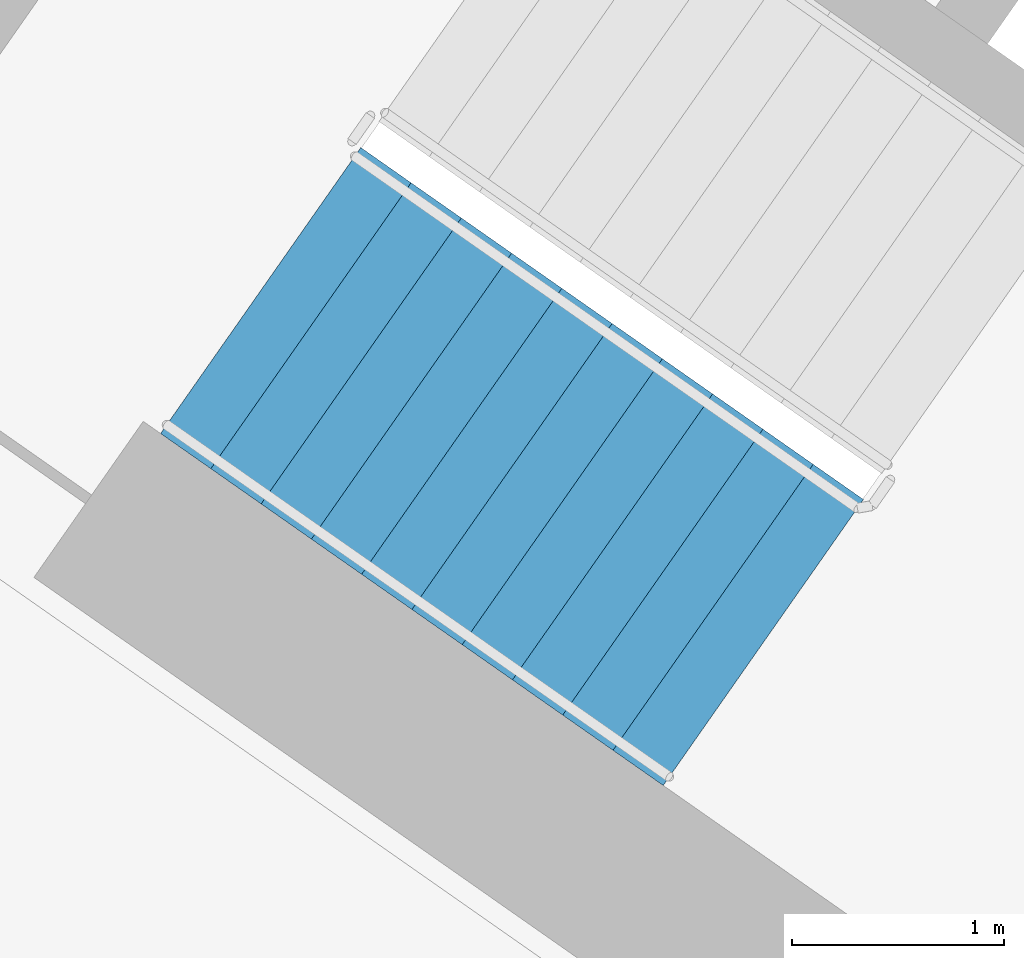
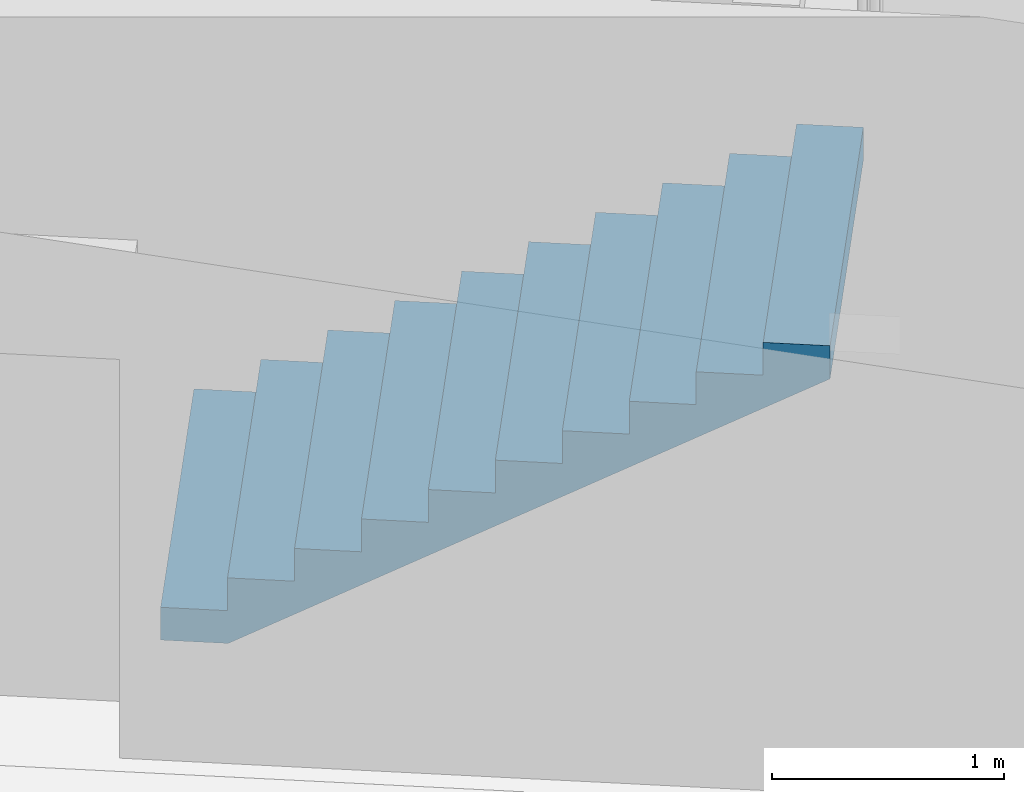
# One storey, part 10 of 29: 1 stair flight, 1 element without a shape of its own.
"""IFC4 building model written with IfcOpenShell, lengths in metres."""

import ifcopenshell
import ifcopenshell.guid

model = None  # the IFC model being written
_history = None  # IfcOwnerHistory: only IFC2X3 demands one
_inside = {}  # id of a spatial element -> (the spatial element, [elements in it])
_under = {}  # id of a project, library or spatial element -> (it, [spatial elements below it])
_declared = {}  # id of a project -> (the project, [libraries it declares])
_typed = {}  # id of a type object -> (the type object, [elements of that type])
_made_of = {}  # id of a material, layer set ... -> (it, [elements and type objects made of it])


def new_model(schema):
    """Start an empty IFC model of exactly this schema.

    Asked for "IFC4X3", IfcOpenShell would pick the latest addendum, in which some entities
    have other attributes; the version numbers below select the first issue.
    IFC2X3 requires an IfcOwnerHistory on every rooted entity: one is made here for all.
    """
    global model, _history
    if schema == "IFC4X3":
        model = ifcopenshell.file(schema_version=(4, 3, 0, 0))
    else:
        model = ifcopenshell.file(schema=schema)
    _inside.clear()
    _under.clear()
    _declared.clear()
    _typed.clear()
    _made_of.clear()
    _history = None
    if model.schema == "IFC2X3":
        org = make("IfcOrganization", Name="unknown")
        user = make(
            "IfcPersonAndOrganization",
            ThePerson=make("IfcPerson", FamilyName="unknown"),
            TheOrganization=org,
        )
        app = make(
            "IfcApplication",
            ApplicationDeveloper=org,
            Version="unknown",
            ApplicationFullName="unknown",
            ApplicationIdentifier="unknown",
        )
        _history = make(
            "IfcOwnerHistory",
            OwningUser=user,
            OwningApplication=app,
            ChangeAction="ADDED",
            CreationDate=0,
        )
    return model


def make(cls, **values):
    """One entity of the class cls with the attributes given. An attribute that is None is left unset."""
    return model.create_entity(
        cls, **{name: value for name, value in values.items() if value is not None}
    )


def rooted(cls, **values):
    """An entity with a GlobalId (a new one), such as an element, a storey or a relation."""
    return make(cls, GlobalId=ifcopenshell.guid.new(), OwnerHistory=_history, **values)


def si_unit(unit_type, name, prefix=None):
    """IfcSIUnit, for example si_unit("LENGTHUNIT", "METRE", prefix="MILLI")."""
    return make("IfcSIUnit", UnitType=unit_type, Prefix=prefix, Name=name)


def assignment(units):
    """IfcUnitAssignment: the units of a project."""
    return None if units is None else make("IfcUnitAssignment", Units=units)


def point(xyz):
    """IfcCartesianPoint."""
    return None if xyz is None else make("IfcCartesianPoint", Coordinates=xyz)


def direction(xyz):
    """IfcDirection."""
    return None if xyz is None else make("IfcDirection", DirectionRatios=xyz)


def frame(location, z_axis=None, x_axis=None):
    """IfcAxis2Placement3D, a coordinate frame: its origin and axes. An axis left out is left unset."""
    return make(
        "IfcAxis2Placement3D",
        Location=point(location),
        Axis=direction(z_axis),
        RefDirection=direction(x_axis),
    )


def origin():
    """The frame at (0, 0, 0) with its axes left unset."""
    return frame((0.0, 0.0, 0.0))


def place(relative_to, where):
    """IfcLocalPlacement: puts the frame where relative to a parent placement (None: the world)."""
    return make(
        "IfcLocalPlacement", PlacementRelTo=relative_to, RelativePlacement=where
    )


def context(
    kind, dimensions, precision=None, world=None, true_north=None, identifier=None
):
    """IfcGeometricRepresentationContext, for example the 3D "Model" context."""
    return make(
        "IfcGeometricRepresentationContext",
        ContextIdentifier=identifier,
        ContextType=kind,
        CoordinateSpaceDimension=dimensions,
        Precision=precision,
        WorldCoordinateSystem=world,
        TrueNorth=true_north,
    )


def subcontext(parent, identifier, kind, view, scale=None):
    """IfcGeometricRepresentationSubContext, for example "Body" below "Model"."""
    return make(
        "IfcGeometricRepresentationSubContext",
        ContextIdentifier=identifier,
        ContextType=kind,
        ParentContext=parent,
        TargetScale=scale,
        TargetView=view,
    )


def project(units=None, contexts=None):
    """IfcProject with its units and contexts."""
    return rooted(
        "IfcProject",
        Name="project",
        RepresentationContexts=contexts,
        UnitsInContext=assignment(units),
    )


def spatial(cls, under=None, at=None, **own):
    """A site, building, storey or space (cls), placed at a placement, below another one or the project."""
    s = rooted(cls, ObjectPlacement=at, **own)
    if under is not None:
        _under.setdefault(under.id(), (under, []))[1].append(s)
    return s


def faces_of(points, faces, orient=None, outer=None):
    """IfcFace entities. A face is a list of loops; a loop is a list of indices into points, from 0.

    orient and outer hold one flag for each loop. By default every Orientation is true, the
    first loop of a face is its IfcFaceOuterBound and the others are IfcFaceBound.
    """
    made = []
    for i, loops in enumerate(faces):
        bounds = []
        for j, loop in enumerate(loops):
            is_outer = j == 0 if outer is None else outer[i][j]
            bounds.append(
                make(
                    "IfcFaceOuterBound" if is_outer else "IfcFaceBound",
                    Bound=make("IfcPolyLoop", Polygon=[points[k] for k in loop]),
                    Orientation=True if orient is None else orient[i][j],
                )
            )
        made.append(make("IfcFace", Bounds=bounds))
    return made


def faceted_brep(points, faces, orient=None, outer=None, voids=None):
    """IfcFacetedBrep: a solid bounded by flat faces; with voids (closed shells), ...WithVoids."""
    shared = [point(p) for p in points]
    hull = make("IfcClosedShell", CfsFaces=faces_of(shared, faces, orient, outer))
    if voids is None:
        return make("IfcFacetedBrep", Outer=hull)
    return make(
        "IfcFacetedBrepWithVoids",
        Outer=hull,
        Voids=[
            make(cls, CfsFaces=faces_of(shared, fs, o, b)) for cls, fs, o, b in voids
        ],
    )


def shape(context_of_items, identifier, shape_type, items):
    """IfcShapeRepresentation: the items that make up one representation, for example the "Body"."""
    return make(
        "IfcShapeRepresentation",
        ContextOfItems=context_of_items,
        RepresentationIdentifier=identifier,
        RepresentationType=shape_type,
        Items=items,
    )


def material(Name=None, Category=None):
    """IfcMaterial."""
    return make("IfcMaterial", Name=Name, Category=Category)


def made_of(thing, what):
    """Note that an element or type object is made of a material, layer set ...; save() writes the relation."""
    if what is not None:
        _made_of.setdefault(what.id(), (what, []))[1].append(thing)
    return thing


def type_object(cls, material=None, **own):
    """A type object (cls), such as IfcWallType, which elements share."""
    return made_of(rooted(cls, **own), material)


def element(
    cls,
    number,
    at=None,
    inside=None,
    cuts=None,
    type_object=None,
    material=None,
    context=None,
    identifier="Body",
    shape_type=None,
    held_by="IfcProductDefinitionShape",
    body=None,
    shapes=None,
    **own,
):
    """One element of the class cls, such as IfcWall. Its Tag is "e" and its number.

    at: its placement. inside: the storey or other place that contains it. cuts: it is an
    opening in that element (IfcRelVoidsElement). A single representation is given by context,
    identifier, shape_type and body (its items); several are given by shapes. held_by: the class
    of the entity that holds the representations. save() writes the other relations.
    """
    e = rooted(cls, Tag="e%d" % number, ObjectPlacement=at, **own)
    if body is not None:
        shapes = [shape(context, identifier, shape_type, body)]
    if shapes is not None:
        e.Representation = make(held_by, Representations=shapes)
    if inside is not None:
        _inside.setdefault(inside.id(), (inside, []))[1].append(e)
    if cuts is not None:
        rooted(
            "IfcRelVoidsElement", RelatingBuildingElement=cuts, RelatedOpeningElement=e
        )
    if type_object is not None:
        _typed.setdefault(type_object.id(), (type_object, []))[1].append(e)
    return made_of(e, material)


def aggregate(whole, parts):
    """IfcRelAggregates: a whole, such as a stair, and the parts it consists of."""
    return rooted("IfcRelAggregates", RelatingObject=whole, RelatedObjects=parts)


def save(model, path):
    """Write the relations noted so far, then the file.

    IfcRelAggregates (storeys below a building ...), IfcRelContainedInSpatialStructure (elements
    in a storey), IfcRelDefinesByType, IfcRelAssociatesMaterial and IfcRelDeclares: one each for
    every whole, place, type object, material and project.
    """
    for whole, parts in _under.values():
        aggregate(whole, parts)
    for where, things in _inside.values():
        rooted(
            "IfcRelContainedInSpatialStructure",
            RelatedElements=things,
            RelatingStructure=where,
        )
    for kind, things in _typed.values():
        rooted("IfcRelDefinesByType", RelatedObjects=things, RelatingType=kind)
    for what, things in _made_of.values():
        rooted("IfcRelAssociatesMaterial", RelatedObjects=things, RelatingMaterial=what)
    for by, libraries in _declared.values():
        rooted("IfcRelDeclares", RelatingContext=by, RelatedDefinitions=libraries)
    model.write(path)


model = new_model("IFC4")

# Units and contexts
model_context = context("Model", 3, precision=1e-05, world=origin(), true_north=direction((0.0, 1.0)))
body_context = subcontext(model_context, "Body", "Model", "MODEL_VIEW")
ifc_project = project(units=[si_unit("LENGTHUNIT", "METRE"), si_unit("AREAUNIT", "SQUARE_METRE"), si_unit("VOLUMEUNIT", "CUBIC_METRE"), si_unit("PLANEANGLEUNIT", "RADIAN"), si_unit("MASSUNIT", "GRAM", prefix="KILO")], contexts=[model_context])

# Site, building, storey
site_placement = place(None, origin())
site = spatial("IfcSite", under=ifc_project, at=site_placement, CompositionType="ELEMENT")
building_placement = place(site_placement, origin())
building = spatial("IfcBuilding", under=site, at=building_placement, Name="Qamariyya Broadcast Tower", CompositionType="ELEMENT")
storey_placement = place(building_placement, frame((0.0, 0.0, 106.300048828125)))
storey = spatial("IfcBuildingStorey", under=building, at=storey_placement, Name="L23", CompositionType="ELEMENT", Elevation=106.300048828125)

# Stair, stair flight
ifc_material = material(Name="Concrete C50/60", Category="concrete")
stair_type = type_object("IfcStairType", Name="Exit stair 22 risers of 173 mm", PredefinedType="HALF_TURN_STAIR", material=ifc_material)
stair_placement = place(storey_placement, origin())
stair = element("IfcStair", 1, at=stair_placement, inside=storey, type_object=stair_type, Name="L23 Stair W1", PredefinedType="HALF_TURN_STAIR")
stair_flight_type = type_object("IfcStairFlightType", Name="Exit stair flight 11 risers of 173 mm", PredefinedType="STRAIGHT", material=ifc_material)
stair_flight_placement = place(storey_placement, frame((-47.06884765625, -56.982666015625, 0.0), z_axis=(0.0, 0.0, 1.0), x_axis=(0.819152044289, -0.573576436351, 0.0)))
stair_flight = element("IfcStairFlight", 2, at=stair_flight_placement, type_object=stair_flight_type, Name="ST-W1 flight 1", NumberOfRisers=11, NumberOfTreads=10, PredefinedType="STRAIGHT", RiserHeight=0.172727273, TreadLength=0.29, context=body_context, shape_type="Brep", body=[
    faceted_brep([(0.0, 0.824951171875, 0.0), (0.0, 0.824951171875, 0.172607421875), (0.2900390625, 0.824951171875, 0.172607421875), (0.2900390625, 0.824951171875, 0.345458984375), (0.580078125, 0.824951171875, 0.345458984375), (0.580078125, 0.824951171875, 0.51806640625), (0.8701171875, 0.824951171875, 0.51806640625), (0.8701171875, 0.824951171875, 0.69091796875), (1.159912109375, 0.824951171875, 0.69091796875), (1.159912109375, 0.824951171875, 0.863525390625), (1.449951171875, 0.824951171875, 0.863525390625), (1.449951171875, 0.824951171875, 1.036376953125), (1.739990234375, 0.824951171875, 1.036376953125), (1.739990234375, 0.824951171875, 1.208984375), (2.030029296875, 0.824951171875, 1.208984375), (2.030029296875, 0.824951171875, 1.3818359375), (2.320068359375, 0.824951171875, 1.3818359375), (2.320068359375, 0.824951171875, 1.554443359375), (2.610107421875, 0.824951171875, 1.554443359375), (2.610107421875, 0.824951171875, 1.727294921875), (2.89990234375, 0.824951171875, 1.727294921875), (2.89990234375, 0.824951171875, 1.552734375), (0.29296875, 0.824951171875, 0.0), (0.29296875, -0.824951171875, 0.0), (2.89990234375, -0.824951171875, 1.552734375), (2.89990234375, -0.824951171875, 1.727294921875), (2.610107421875, -0.824951171875, 1.727294921875), (2.610107421875, -0.824951171875, 1.554443359375), (2.320068359375, -0.824951171875, 1.554443359375), (2.320068359375, -0.824951171875, 1.3818359375), (2.030029296875, -0.824951171875, 1.3818359375), (2.030029296875, -0.824951171875, 1.208984375), (1.739990234375, -0.824951171875, 1.208984375), (1.739990234375, -0.824951171875, 1.036376953125), (1.449951171875, -0.824951171875, 1.036376953125), (1.449951171875, -0.824951171875, 0.863525390625), (1.159912109375, -0.824951171875, 0.863525390625), (1.159912109375, -0.824951171875, 0.69091796875), (0.8701171875, -0.824951171875, 0.69091796875), (0.8701171875, -0.824951171875, 0.51806640625), (0.580078125, -0.824951171875, 0.51806640625), (0.580078125, -0.824951171875, 0.345458984375), (0.2900390625, -0.824951171875, 0.345458984375), (0.2900390625, -0.824951171875, 0.172607421875), (0.0, -0.824951171875, 0.172607421875), (0.0, -0.824951171875, 0.0), (0.0, 0.10009765625, 0.0), (0.0, 0.086669921875, 0.0), (0.0, 0.0732421875, 0.0), (0.0, 0.06005859375, 0.0), (0.0, 0.046630859375, 0.0), (0.0, 0.033447265625, 0.0), (0.0, 0.02001953125, 0.0), (0.0, 0.006591796875, 0.0), (0.0, -0.006591796875, 0.0), (0.0, -0.02001953125, 0.0), (0.0, -0.033447265625, 0.0), (0.0, -0.046630859375, 0.0), (0.0, -0.06005859375, 0.0), (0.0, -0.0732421875, 0.0), (0.0, -0.086669921875, 0.0), (0.0, -0.10009765625, 0.0), (0.0, -0.10009765625, 0.172607421875), (0.0, -0.086669921875, 0.172607421875), (0.0, -0.0732421875, 0.172607421875), (0.0, -0.06005859375, 0.172607421875), (0.0, -0.046630859375, 0.172607421875), (0.0, -0.033447265625, 0.172607421875), (0.0, -0.02001953125, 0.172607421875), (0.0, -0.006591796875, 0.172607421875), (0.0, 0.006591796875, 0.172607421875), (0.0, 0.02001953125, 0.172607421875), (0.0, 0.033447265625, 0.172607421875), (0.0, 0.046630859375, 0.172607421875), (0.0, 0.06005859375, 0.172607421875), (0.0, 0.0732421875, 0.172607421875), (0.0, 0.086669921875, 0.172607421875), (0.0, 0.10009765625, 0.172607421875), (0.2900390625, -0.10009765625, 0.172607421875), (0.2900390625, -0.086669921875, 0.172607421875), (0.2900390625, -0.0732421875, 0.172607421875), (0.2900390625, -0.06005859375, 0.172607421875), (0.2900390625, -0.046630859375, 0.172607421875), (0.2900390625, -0.033447265625, 0.172607421875), (0.2900390625, -0.02001953125, 0.172607421875), (0.2900390625, -0.006591796875, 0.172607421875), (0.2900390625, 0.006591796875, 0.172607421875), (0.2900390625, 0.02001953125, 0.172607421875), (0.2900390625, 0.033447265625, 0.172607421875), (0.2900390625, 0.046630859375, 0.172607421875), (0.2900390625, 0.06005859375, 0.172607421875), (0.2900390625, 0.0732421875, 0.172607421875), (0.2900390625, 0.086669921875, 0.172607421875), (0.2900390625, 0.10009765625, 0.172607421875), (0.2900390625, -0.10009765625, 0.345458984375), (0.2900390625, -0.086669921875, 0.345458984375), (0.2900390625, -0.0732421875, 0.345458984375), (0.2900390625, -0.06005859375, 0.345458984375), (0.2900390625, -0.046630859375, 0.345458984375), (0.2900390625, -0.033447265625, 0.345458984375), (0.2900390625, -0.02001953125, 0.345458984375), (0.2900390625, -0.006591796875, 0.345458984375), (0.2900390625, 0.006591796875, 0.345458984375), (0.2900390625, 0.02001953125, 0.345458984375), (0.2900390625, 0.033447265625, 0.345458984375), (0.2900390625, 0.046630859375, 0.345458984375), (0.2900390625, 0.06005859375, 0.345458984375), (0.2900390625, 0.0732421875, 0.345458984375), (0.2900390625, 0.086669921875, 0.345458984375), (0.2900390625, 0.10009765625, 0.345458984375), (0.580078125, -0.10009765625, 0.345458984375), (0.580078125, -0.086669921875, 0.345458984375), (0.580078125, -0.0732421875, 0.345458984375), (0.580078125, -0.06005859375, 0.345458984375), (0.580078125, -0.046630859375, 0.345458984375), (0.580078125, -0.033447265625, 0.345458984375), (0.580078125, -0.02001953125, 0.345458984375), (0.580078125, -0.006591796875, 0.345458984375), (0.580078125, 0.006591796875, 0.345458984375), (0.580078125, 0.02001953125, 0.345458984375), (0.580078125, 0.033447265625, 0.345458984375), (0.580078125, 0.046630859375, 0.345458984375), (0.580078125, 0.06005859375, 0.345458984375), (0.580078125, 0.0732421875, 0.345458984375), (0.580078125, 0.086669921875, 0.345458984375), (0.580078125, 0.10009765625, 0.345458984375), (0.580078125, -0.10009765625, 0.51806640625), (0.580078125, -0.086669921875, 0.51806640625), (0.580078125, -0.0732421875, 0.51806640625), (0.580078125, -0.06005859375, 0.51806640625), (0.580078125, -0.046630859375, 0.51806640625), (0.580078125, -0.033447265625, 0.51806640625), (0.580078125, -0.02001953125, 0.51806640625), (0.580078125, -0.006591796875, 0.51806640625), (0.580078125, 0.006591796875, 0.51806640625), (0.580078125, 0.02001953125, 0.51806640625), (0.580078125, 0.033447265625, 0.51806640625), (0.580078125, 0.046630859375, 0.51806640625), (0.580078125, 0.06005859375, 0.51806640625), (0.580078125, 0.0732421875, 0.51806640625), (0.580078125, 0.086669921875, 0.51806640625), (0.580078125, 0.10009765625, 0.51806640625), (0.8701171875, -0.10009765625, 0.51806640625), (0.8701171875, -0.086669921875, 0.51806640625), (0.8701171875, -0.0732421875, 0.51806640625), (0.8701171875, -0.06005859375, 0.51806640625), (0.8701171875, -0.046630859375, 0.51806640625), (0.8701171875, -0.033447265625, 0.51806640625), (0.8701171875, -0.02001953125, 0.51806640625), (0.8701171875, -0.006591796875, 0.51806640625), (0.8701171875, 0.006591796875, 0.51806640625), (0.8701171875, 0.02001953125, 0.51806640625), (0.8701171875, 0.033447265625, 0.51806640625), (0.8701171875, 0.046630859375, 0.51806640625), (0.8701171875, 0.06005859375, 0.51806640625), (0.8701171875, 0.0732421875, 0.51806640625), (0.8701171875, 0.086669921875, 0.51806640625), (0.8701171875, 0.10009765625, 0.51806640625), (0.8701171875, -0.10009765625, 0.69091796875), (0.8701171875, -0.086669921875, 0.69091796875), (0.8701171875, -0.0732421875, 0.69091796875), (0.8701171875, -0.06005859375, 0.69091796875), (0.8701171875, -0.046630859375, 0.69091796875), (0.8701171875, -0.033447265625, 0.69091796875), (0.8701171875, -0.02001953125, 0.69091796875), (0.8701171875, -0.006591796875, 0.69091796875), (0.8701171875, 0.006591796875, 0.69091796875), (0.8701171875, 0.02001953125, 0.69091796875), (0.8701171875, 0.033447265625, 0.69091796875), (0.8701171875, 0.046630859375, 0.69091796875), (0.8701171875, 0.06005859375, 0.69091796875), (0.8701171875, 0.0732421875, 0.69091796875), (0.8701171875, 0.086669921875, 0.69091796875), (0.8701171875, 0.10009765625, 0.69091796875), (1.159912109375, -0.10009765625, 0.69091796875), (1.159912109375, -0.086669921875, 0.69091796875), (1.159912109375, -0.0732421875, 0.69091796875), (1.159912109375, -0.06005859375, 0.69091796875), (1.159912109375, -0.046630859375, 0.69091796875), (1.159912109375, -0.033447265625, 0.69091796875), (1.159912109375, -0.02001953125, 0.69091796875), (1.159912109375, -0.006591796875, 0.69091796875), (1.159912109375, 0.006591796875, 0.69091796875), (1.159912109375, 0.02001953125, 0.69091796875), (1.159912109375, 0.033447265625, 0.69091796875), (1.159912109375, 0.046630859375, 0.69091796875), (1.159912109375, 0.06005859375, 0.69091796875), (1.159912109375, 0.0732421875, 0.69091796875), (1.159912109375, 0.086669921875, 0.69091796875), (1.159912109375, 0.10009765625, 0.69091796875), (1.159912109375, -0.10009765625, 0.863525390625), (1.159912109375, -0.086669921875, 0.863525390625), (1.159912109375, -0.0732421875, 0.863525390625), (1.159912109375, -0.06005859375, 0.863525390625), (1.159912109375, -0.046630859375, 0.863525390625), (1.159912109375, -0.033447265625, 0.863525390625), (1.159912109375, -0.02001953125, 0.863525390625), (1.159912109375, -0.006591796875, 0.863525390625), (1.159912109375, 0.006591796875, 0.863525390625), (1.159912109375, 0.02001953125, 0.863525390625), (1.159912109375, 0.033447265625, 0.863525390625), (1.159912109375, 0.046630859375, 0.863525390625), (1.159912109375, 0.06005859375, 0.863525390625), (1.159912109375, 0.0732421875, 0.863525390625), (1.159912109375, 0.086669921875, 0.863525390625), (1.159912109375, 0.10009765625, 0.863525390625), (1.449951171875, -0.10009765625, 0.863525390625), (1.449951171875, -0.086669921875, 0.863525390625), (1.449951171875, -0.0732421875, 0.863525390625), (1.449951171875, -0.06005859375, 0.863525390625), (1.449951171875, -0.046630859375, 0.863525390625), (1.449951171875, -0.033447265625, 0.863525390625), (1.449951171875, -0.02001953125, 0.863525390625), (1.449951171875, -0.006591796875, 0.863525390625), (1.449951171875, 0.006591796875, 0.863525390625), (1.449951171875, 0.02001953125, 0.863525390625), (1.449951171875, 0.033447265625, 0.863525390625), (1.449951171875, 0.046630859375, 0.863525390625), (1.449951171875, 0.06005859375, 0.863525390625), (1.449951171875, 0.0732421875, 0.863525390625), (1.449951171875, 0.086669921875, 0.863525390625), (1.449951171875, 0.10009765625, 0.863525390625), (1.449951171875, -0.10009765625, 1.036376953125), (1.449951171875, -0.086669921875, 1.036376953125), (1.449951171875, -0.0732421875, 1.036376953125), (1.449951171875, -0.06005859375, 1.036376953125), (1.449951171875, -0.046630859375, 1.036376953125), (1.449951171875, -0.033447265625, 1.036376953125), (1.449951171875, -0.02001953125, 1.036376953125), (1.449951171875, -0.006591796875, 1.036376953125), (1.449951171875, 0.006591796875, 1.036376953125), (1.449951171875, 0.02001953125, 1.036376953125), (1.449951171875, 0.033447265625, 1.036376953125), (1.449951171875, 0.046630859375, 1.036376953125), (1.449951171875, 0.06005859375, 1.036376953125), (1.449951171875, 0.0732421875, 1.036376953125), (1.449951171875, 0.086669921875, 1.036376953125), (1.449951171875, 0.10009765625, 1.036376953125), (1.739990234375, -0.10009765625, 1.036376953125), (1.739990234375, -0.086669921875, 1.036376953125), (1.739990234375, -0.0732421875, 1.036376953125), (1.739990234375, -0.06005859375, 1.036376953125), (1.739990234375, -0.046630859375, 1.036376953125), (1.739990234375, -0.033447265625, 1.036376953125), (1.739990234375, -0.02001953125, 1.036376953125), (1.739990234375, -0.006591796875, 1.036376953125), (1.739990234375, 0.006591796875, 1.036376953125), (1.739990234375, 0.02001953125, 1.036376953125), (1.739990234375, 0.033447265625, 1.036376953125), (1.739990234375, 0.046630859375, 1.036376953125), (1.739990234375, 0.06005859375, 1.036376953125), (1.739990234375, 0.0732421875, 1.036376953125), (1.739990234375, 0.086669921875, 1.036376953125), (1.739990234375, 0.10009765625, 1.036376953125), (1.739990234375, -0.10009765625, 1.208984375), (1.739990234375, -0.086669921875, 1.208984375), (1.739990234375, -0.0732421875, 1.208984375), (1.739990234375, -0.06005859375, 1.208984375), (1.739990234375, -0.046630859375, 1.208984375), (1.739990234375, -0.033447265625, 1.208984375), (1.739990234375, -0.02001953125, 1.208984375), (1.739990234375, -0.006591796875, 1.208984375), (1.739990234375, 0.006591796875, 1.208984375), (1.739990234375, 0.02001953125, 1.208984375), (1.739990234375, 0.033447265625, 1.208984375), (1.739990234375, 0.046630859375, 1.208984375), (1.739990234375, 0.06005859375, 1.208984375), (1.739990234375, 0.0732421875, 1.208984375), (1.739990234375, 0.086669921875, 1.208984375), (1.739990234375, 0.10009765625, 1.208984375), (2.030029296875, -0.10009765625, 1.208984375), (2.030029296875, -0.086669921875, 1.208984375), (2.030029296875, -0.0732421875, 1.208984375), (2.030029296875, -0.06005859375, 1.208984375), (2.030029296875, -0.046630859375, 1.208984375), (2.030029296875, -0.033447265625, 1.208984375), (2.030029296875, -0.02001953125, 1.208984375), (2.030029296875, -0.006591796875, 1.208984375), (2.030029296875, 0.006591796875, 1.208984375), (2.030029296875, 0.02001953125, 1.208984375), (2.030029296875, 0.033447265625, 1.208984375), (2.030029296875, 0.046630859375, 1.208984375), (2.030029296875, 0.06005859375, 1.208984375), (2.030029296875, 0.0732421875, 1.208984375), (2.030029296875, 0.086669921875, 1.208984375), (2.030029296875, 0.10009765625, 1.208984375), (2.030029296875, -0.10009765625, 1.3818359375), (2.030029296875, -0.086669921875, 1.3818359375), (2.030029296875, -0.0732421875, 1.3818359375), (2.030029296875, -0.06005859375, 1.3818359375), (2.030029296875, -0.046630859375, 1.3818359375), (2.030029296875, -0.033447265625, 1.3818359375), (2.030029296875, -0.02001953125, 1.3818359375), (2.030029296875, -0.006591796875, 1.3818359375), (2.030029296875, 0.006591796875, 1.3818359375), (2.030029296875, 0.02001953125, 1.3818359375), (2.030029296875, 0.033447265625, 1.3818359375), (2.030029296875, 0.046630859375, 1.3818359375), (2.030029296875, 0.06005859375, 1.3818359375), (2.030029296875, 0.0732421875, 1.3818359375), (2.030029296875, 0.086669921875, 1.3818359375), (2.030029296875, 0.10009765625, 1.3818359375), (2.320068359375, -0.10009765625, 1.3818359375), (2.320068359375, -0.086669921875, 1.3818359375), (2.320068359375, -0.0732421875, 1.3818359375), (2.320068359375, -0.06005859375, 1.3818359375), (2.320068359375, -0.046630859375, 1.3818359375), (2.320068359375, -0.033447265625, 1.3818359375), (2.320068359375, -0.02001953125, 1.3818359375), (2.320068359375, -0.006591796875, 1.3818359375), (2.320068359375, 0.006591796875, 1.3818359375), (2.320068359375, 0.02001953125, 1.3818359375), (2.320068359375, 0.033447265625, 1.3818359375), (2.320068359375, 0.046630859375, 1.3818359375), (2.320068359375, 0.06005859375, 1.3818359375), (2.320068359375, 0.0732421875, 1.3818359375), (2.320068359375, 0.086669921875, 1.3818359375), (2.320068359375, 0.10009765625, 1.3818359375), (2.320068359375, -0.10009765625, 1.554443359375), (2.320068359375, -0.086669921875, 1.554443359375), (2.320068359375, -0.0732421875, 1.554443359375), (2.320068359375, -0.06005859375, 1.554443359375), (2.320068359375, -0.046630859375, 1.554443359375), (2.320068359375, -0.033447265625, 1.554443359375), (2.320068359375, -0.02001953125, 1.554443359375), (2.320068359375, -0.006591796875, 1.554443359375), (2.320068359375, 0.006591796875, 1.554443359375), (2.320068359375, 0.02001953125, 1.554443359375), (2.320068359375, 0.033447265625, 1.554443359375), (2.320068359375, 0.046630859375, 1.554443359375), (2.320068359375, 0.06005859375, 1.554443359375), (2.320068359375, 0.0732421875, 1.554443359375), (2.320068359375, 0.086669921875, 1.554443359375), (2.320068359375, 0.10009765625, 1.554443359375), (2.610107421875, -0.10009765625, 1.554443359375), (2.610107421875, -0.086669921875, 1.554443359375), (2.610107421875, -0.0732421875, 1.554443359375), (2.610107421875, -0.06005859375, 1.554443359375), (2.610107421875, -0.046630859375, 1.554443359375), (2.610107421875, -0.033447265625, 1.554443359375), (2.610107421875, -0.02001953125, 1.554443359375), (2.610107421875, -0.006591796875, 1.554443359375), (2.610107421875, 0.006591796875, 1.554443359375), (2.610107421875, 0.02001953125, 1.554443359375), (2.610107421875, 0.033447265625, 1.554443359375), (2.610107421875, 0.046630859375, 1.554443359375), (2.610107421875, 0.06005859375, 1.554443359375), (2.610107421875, 0.0732421875, 1.554443359375), (2.610107421875, 0.086669921875, 1.554443359375), (2.610107421875, 0.10009765625, 1.554443359375), (2.610107421875, -0.10009765625, 1.727294921875), (2.610107421875, -0.086669921875, 1.727294921875), (2.610107421875, -0.0732421875, 1.727294921875), (2.610107421875, -0.06005859375, 1.727294921875), (2.610107421875, -0.046630859375, 1.727294921875), (2.610107421875, -0.033447265625, 1.727294921875), (2.610107421875, -0.02001953125, 1.727294921875), (2.610107421875, -0.006591796875, 1.727294921875), (2.610107421875, 0.006591796875, 1.727294921875), (2.610107421875, 0.02001953125, 1.727294921875), (2.610107421875, 0.033447265625, 1.727294921875), (2.610107421875, 0.046630859375, 1.727294921875), (2.610107421875, 0.06005859375, 1.727294921875), (2.610107421875, 0.0732421875, 1.727294921875), (2.610107421875, 0.086669921875, 1.727294921875), (2.610107421875, 0.10009765625, 1.727294921875), (2.89990234375, -0.10009765625, 1.727294921875), (2.89990234375, -0.086669921875, 1.727294921875), (2.89990234375, -0.0732421875, 1.727294921875), (2.89990234375, -0.06005859375, 1.727294921875), (2.89990234375, -0.046630859375, 1.727294921875), (2.89990234375, -0.033447265625, 1.727294921875), (2.89990234375, -0.02001953125, 1.727294921875), (2.89990234375, -0.006591796875, 1.727294921875), (2.89990234375, 0.006591796875, 1.727294921875), (2.89990234375, 0.02001953125, 1.727294921875), (2.89990234375, 0.033447265625, 1.727294921875), (2.89990234375, 0.046630859375, 1.727294921875), (2.89990234375, 0.06005859375, 1.727294921875), (2.89990234375, 0.0732421875, 1.727294921875), (2.89990234375, 0.086669921875, 1.727294921875), (2.89990234375, 0.10009765625, 1.727294921875), (2.89990234375, -0.10009765625, 1.552734375), (2.89990234375, -0.086669921875, 1.552734375), (2.89990234375, -0.0732421875, 1.552734375), (2.89990234375, -0.06005859375, 1.552734375), (2.89990234375, -0.046630859375, 1.552734375), (2.89990234375, -0.033447265625, 1.552734375), (2.89990234375, -0.02001953125, 1.552734375), (2.89990234375, -0.006591796875, 1.552734375), (2.89990234375, 0.006591796875, 1.552734375), (2.89990234375, 0.02001953125, 1.552734375), (2.89990234375, 0.033447265625, 1.552734375), (2.89990234375, 0.046630859375, 1.552734375), (2.89990234375, 0.06005859375, 1.552734375), (2.89990234375, 0.0732421875, 1.552734375), (2.89990234375, 0.086669921875, 1.552734375), (2.89990234375, 0.10009765625, 1.552734375), (0.29296875, -0.10009765625, 0.0), (0.29296875, -0.086669921875, 0.0), (0.29296875, -0.0732421875, 0.0), (0.29296875, -0.06005859375, 0.0), (0.29296875, -0.046630859375, 0.0), (0.29296875, -0.033447265625, 0.0), (0.29296875, -0.02001953125, 0.0), (0.29296875, -0.006591796875, 0.0), (0.29296875, 0.006591796875, 0.0), (0.29296875, 0.02001953125, 0.0), (0.29296875, 0.033447265625, 0.0), (0.29296875, 0.046630859375, 0.0), (0.29296875, 0.06005859375, 0.0), (0.29296875, 0.0732421875, 0.0), (0.29296875, 0.086669921875, 0.0), (0.29296875, 0.10009765625, 0.0)], [[[0, 1, 2, 3, 4, 5, 6, 7, 8, 9, 10, 11, 12, 13, 14, 15, 16, 17, 18, 19, 20, 21, 22]], [[23, 24, 25, 26, 27, 28, 29, 30, 31, 32, 33, 34, 35, 36, 37, 38, 39, 40, 41, 42, 43, 44, 45]], [[0, 46, 47, 48, 49, 50, 51, 52, 53, 54, 55, 56, 57, 58, 59, 60, 61, 45, 44, 62, 63, 64, 65, 66, 67, 68, 69, 70, 71, 72, 73, 74, 75, 76, 77, 1]], [[1, 77, 76, 75, 74, 73, 72, 71, 70, 69, 68, 67, 66, 65, 64, 63, 62, 44, 43, 78, 79, 80, 81, 82, 83, 84, 85, 86, 87, 88, 89, 90, 91, 92, 93, 2]], [[2, 93, 92, 91, 90, 89, 88, 87, 86, 85, 84, 83, 82, 81, 80, 79, 78, 43, 42, 94, 95, 96, 97, 98, 99, 100, 101, 102, 103, 104, 105, 106, 107, 108, 109, 3]], [[3, 109, 108, 107, 106, 105, 104, 103, 102, 101, 100, 99, 98, 97, 96, 95, 94, 42, 41, 110, 111, 112, 113, 114, 115, 116, 117, 118, 119, 120, 121, 122, 123, 124, 125, 4]], [[4, 125, 124, 123, 122, 121, 120, 119, 118, 117, 116, 115, 114, 113, 112, 111, 110, 41, 40, 126, 127, 128, 129, 130, 131, 132, 133, 134, 135, 136, 137, 138, 139, 140, 141, 5]], [[5, 141, 140, 139, 138, 137, 136, 135, 134, 133, 132, 131, 130, 129, 128, 127, 126, 40, 39, 142, 143, 144, 145, 146, 147, 148, 149, 150, 151, 152, 153, 154, 155, 156, 157, 6]], [[6, 157, 156, 155, 154, 153, 152, 151, 150, 149, 148, 147, 146, 145, 144, 143, 142, 39, 38, 158, 159, 160, 161, 162, 163, 164, 165, 166, 167, 168, 169, 170, 171, 172, 173, 7]], [[7, 173, 172, 171, 170, 169, 168, 167, 166, 165, 164, 163, 162, 161, 160, 159, 158, 38, 37, 174, 175, 176, 177, 178, 179, 180, 181, 182, 183, 184, 185, 186, 187, 188, 189, 8]], [[8, 189, 188, 187, 186, 185, 184, 183, 182, 181, 180, 179, 178, 177, 176, 175, 174, 37, 36, 190, 191, 192, 193, 194, 195, 196, 197, 198, 199, 200, 201, 202, 203, 204, 205, 9]], [[9, 205, 204, 203, 202, 201, 200, 199, 198, 197, 196, 195, 194, 193, 192, 191, 190, 36, 35, 206, 207, 208, 209, 210, 211, 212, 213, 214, 215, 216, 217, 218, 219, 220, 221, 10]], [[10, 221, 220, 219, 218, 217, 216, 215, 214, 213, 212, 211, 210, 209, 208, 207, 206, 35, 34, 222, 223, 224, 225, 226, 227, 228, 229, 230, 231, 232, 233, 234, 235, 236, 237, 11]], [[11, 237, 236, 235, 234, 233, 232, 231, 230, 229, 228, 227, 226, 225, 224, 223, 222, 34, 33, 238, 239, 240, 241, 242, 243, 244, 245, 246, 247, 248, 249, 250, 251, 252, 253, 12]], [[12, 253, 252, 251, 250, 249, 248, 247, 246, 245, 244, 243, 242, 241, 240, 239, 238, 33, 32, 254, 255, 256, 257, 258, 259, 260, 261, 262, 263, 264, 265, 266, 267, 268, 269, 13]], [[13, 269, 268, 267, 266, 265, 264, 263, 262, 261, 260, 259, 258, 257, 256, 255, 254, 32, 31, 270, 271, 272, 273, 274, 275, 276, 277, 278, 279, 280, 281, 282, 283, 284, 285, 14]], [[14, 285, 284, 283, 282, 281, 280, 279, 278, 277, 276, 275, 274, 273, 272, 271, 270, 31, 30, 286, 287, 288, 289, 290, 291, 292, 293, 294, 295, 296, 297, 298, 299, 300, 301, 15]], [[15, 301, 300, 299, 298, 297, 296, 295, 294, 293, 292, 291, 290, 289, 288, 287, 286, 30, 29, 302, 303, 304, 305, 306, 307, 308, 309, 310, 311, 312, 313, 314, 315, 316, 317, 16]], [[16, 317, 316, 315, 314, 313, 312, 311, 310, 309, 308, 307, 306, 305, 304, 303, 302, 29, 28, 318, 319, 320, 321, 322, 323, 324, 325, 326, 327, 328, 329, 330, 331, 332, 333, 17]], [[17, 333, 332, 331, 330, 329, 328, 327, 326, 325, 324, 323, 322, 321, 320, 319, 318, 28, 27, 334, 335, 336, 337, 338, 339, 340, 341, 342, 343, 344, 345, 346, 347, 348, 349, 18]], [[18, 349, 348, 347, 346, 345, 344, 343, 342, 341, 340, 339, 338, 337, 336, 335, 334, 27, 26, 350, 351, 352, 353, 354, 355, 356, 357, 358, 359, 360, 361, 362, 363, 364, 365, 19]], [[19, 365, 364, 363, 362, 361, 360, 359, 358, 357, 356, 355, 354, 353, 352, 351, 350, 26, 25, 366, 367, 368, 369, 370, 371, 372, 373, 374, 375, 376, 377, 378, 379, 380, 381, 20]], [[20, 381, 380, 379, 378, 377, 376, 375, 374, 373, 372, 371, 370, 369, 368, 367, 366, 25, 24, 382, 383, 384, 385, 386, 387, 388, 389, 390, 391, 392, 393, 394, 395, 396, 397, 21]], [[21, 397, 396, 395, 394, 393, 392, 391, 390, 389, 388, 387, 386, 385, 384, 383, 382, 24, 23, 398, 399, 400, 401, 402, 403, 404, 405, 406, 407, 408, 409, 410, 411, 412, 413, 22]], [[22, 413, 412, 411, 410, 409, 408, 407, 406, 405, 404, 403, 402, 401, 400, 399, 398, 23, 45, 61, 60, 59, 58, 57, 56, 55, 54, 53, 52, 51, 50, 49, 48, 47, 46, 0]]]),
])
aggregate(stair, [stair_flight])

save(model, "model.ifc")
